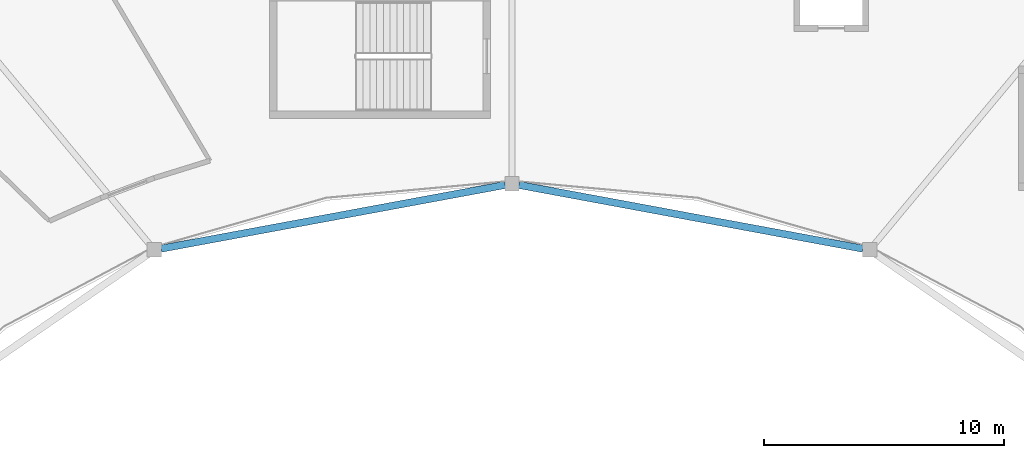
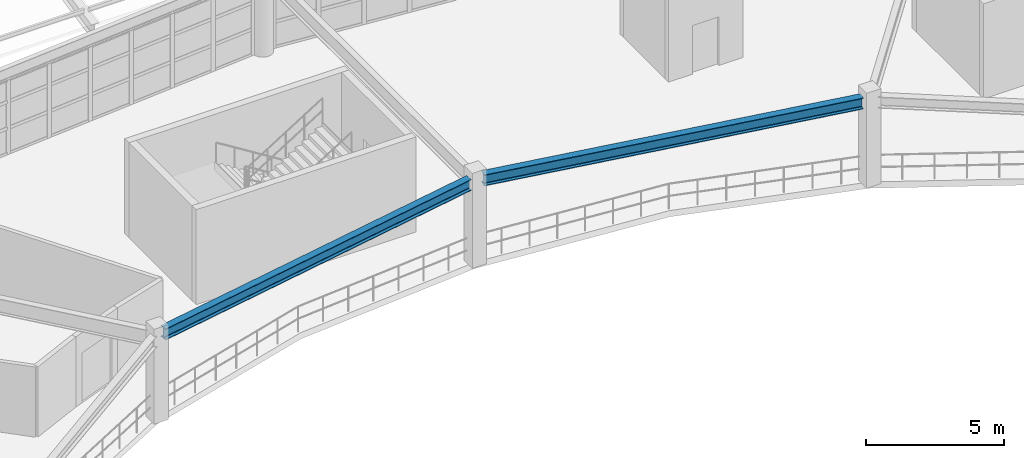
# One storey, part 37 of 100: 2 beams.
"""IFC4 building model written with IfcOpenShell, lengths in metres."""

from ifc_helpers import new_model, si_unit, direction, frame, origin, origin_2d, place, context, subcontext, project, spatial, i_section, extrude, material, material_profile, profile_set, type_object, element, save


model = new_model("IFC4")

# Units and contexts
model_context = context("Model", 3, precision=1e-05, world=origin(), true_north=direction((0.0, 1.0)))
body_context = subcontext(model_context, "Body", "Model", "MODEL_VIEW")
ifc_project = project(units=[si_unit("LENGTHUNIT", "METRE"), si_unit("AREAUNIT", "SQUARE_METRE"), si_unit("VOLUMEUNIT", "CUBIC_METRE"), si_unit("PLANEANGLEUNIT", "RADIAN"), si_unit("MASSUNIT", "GRAM", prefix="KILO")], contexts=[model_context])

# Site, building, storey
site_placement = place(None, origin())
site = spatial("IfcSite", under=ifc_project, at=site_placement, CompositionType="ELEMENT")
building_placement = place(site_placement, origin())
building = spatial("IfcBuilding", under=site, at=building_placement, Name="Kivolera Central Railway Station", CompositionType="ELEMENT")
storey_placement = place(building_placement, frame((0.0, 0.0, 5.39990234375)))
storey = spatial("IfcBuildingStorey", under=building, at=storey_placement, Name="L01", CompositionType="ELEMENT", Elevation=5.39990234375)

# Beams
ifc_material = material(Name="Steel S355", Category="steel")
ifc_material_profile = material_profile(ifc_material, i_section(OverallWidth=0.300048828125, OverallDepth=0.489990234375, WebThickness=0.011962890625, FlangeThickness=0.02294921875, FilletRadius=0.027099609375, at=origin_2d()), Name="HEA 500")
ifc_profile_set = profile_set([ifc_material_profile], Name="Steel S355")
beam_type = type_object("IfcBeamType", Name="BM-SHD-HEA500", PredefinedType="BEAM", material=ifc_profile_set)
for number, where, z_axis, x_axis, name in (
    (1, (78.613037109375, 107.89306640625, 3.633056640625), (-0.98326844575, 0.18216246483, 0.0), (-0.18216246483, -0.98326844575, 0.0), "L01 Oval Inner Gallery Ring Beam 03"),
    (2, (63.712890625, 110.547119140625, 3.633056640625), (-0.98326844575, -0.18216246483, 0.0), (0.18216246483, -0.98326844575, 0.0), "L01 Oval Inner Gallery Ring Beam 04"),
):
    element("IfcBeam", number, at=place(storey_placement, frame(where, z_axis=z_axis, x_axis=x_axis)), inside=storey, type_object=beam_type, Name=name, PredefinedType="BEAM", context=body_context, shape_type="SweptSolid", body=[
        extrude(i_section(OverallWidth=0.300048828125, OverallDepth=0.489990234375, WebThickness=0.011962890625, FlangeThickness=0.02294921875, FilletRadius=0.027099609375, at=origin_2d()), origin(), (0.0, 0.0, 1.0), 14.569580078125),
    ])

save(model, "model.ifc")
